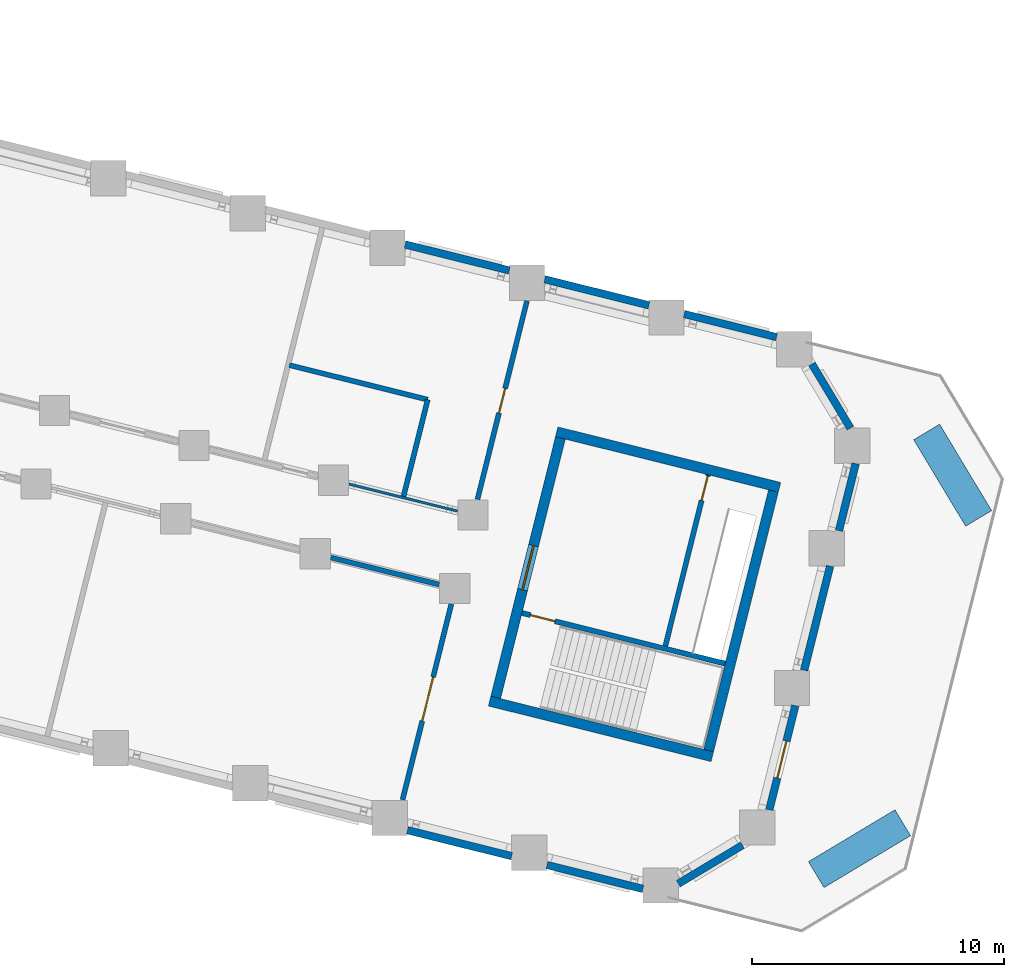
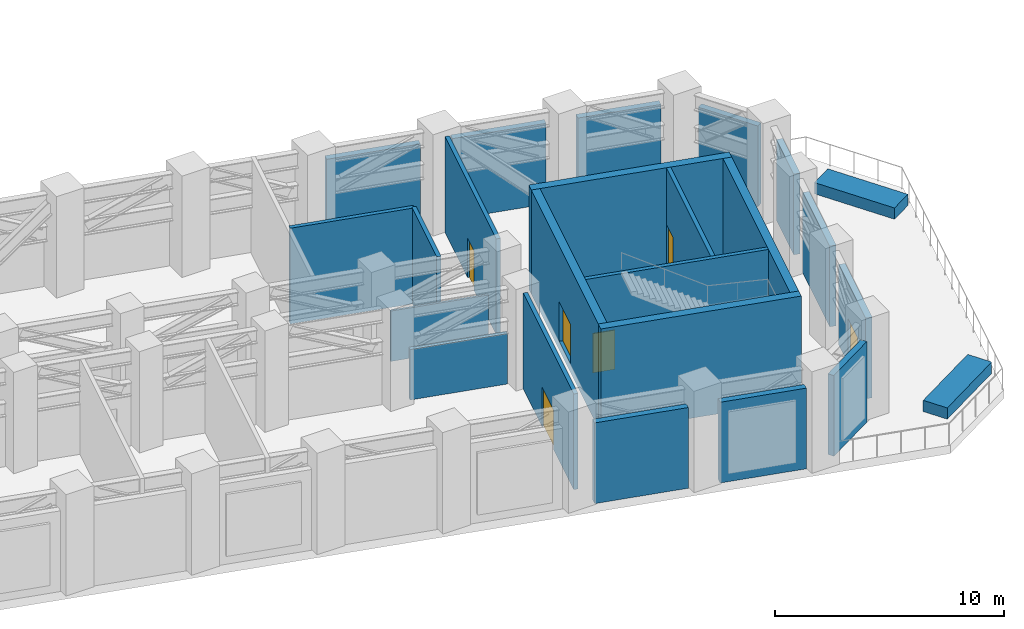
# One storey, part 10 of 14: 24 walls, 6 doors, 6 openings.
"""IFC4 building model written with IfcOpenShell, lengths in metres."""

from ifc_helpers import new_model, si_unit, direction, frame, frame_2d, origin, place, context, subcontext, project, spatial, rectangle, extrude, material, layer, layer_set, type_object, element, fill, save


model = new_model("IFC4")

# Units and contexts
model_context = context("Model", 3, precision=1e-05, world=origin(), true_north=direction((0.0, 1.0)))
body_context = subcontext(model_context, "Body", "Model", "MODEL_VIEW")
ifc_project = project(units=[si_unit("LENGTHUNIT", "METRE"), si_unit("AREAUNIT", "SQUARE_METRE"), si_unit("VOLUMEUNIT", "CUBIC_METRE"), si_unit("PLANEANGLEUNIT", "RADIAN"), si_unit("MASSUNIT", "GRAM", prefix="KILO")], contexts=[model_context])

# Site, building, storey
site_placement = place(None, origin())
site = spatial("IfcSite", under=ifc_project, at=site_placement, CompositionType="ELEMENT")
building_placement = place(site_placement, origin())
building = spatial("IfcBuilding", under=site, at=building_placement, Name="Meshkara Civic Tower", CompositionType="ELEMENT")
storey_placement = place(building_placement, frame((0.0, 0.0, 91.800048828125)))
storey = spatial("IfcBuildingStorey", under=building, at=storey_placement, Name="L20", CompositionType="ELEMENT", Elevation=91.800048828125)

# Walls
ifc_material_1 = material(Name="Corridor wall 100")
ifc_layer_1 = layer(ifc_material_1, 0.10009765625)
ifc_layer_set_1 = layer_set([ifc_layer_1], Name="Corridor wall 100")
wall_type_1 = type_object("IfcWallType", Name="Corridor wall 100", PredefinedType="PARTITIONING", material=ifc_layer_set_1)
wall_1_placement = place(storey_placement, frame((65.014892578125, -2.9150390625, 0.0), z_axis=(0.0, 0.0, 1.0), x_axis=(0.970285215636, -0.241964047572, 0.0)))
element("IfcWall", 1, at=wall_1_placement, inside=storey, type_object=wall_type_1, Name="L20-R034", PredefinedType="PARTITIONING", context=body_context, shape_type="SweptSolid", body=[
    extrude(rectangle(XDim=4.42236328125, YDim=0.10009765625, at=frame_2d((2.211181640625, 0.0))), origin(), (0.0, 0.0, 1.0), 2.683837890625),
])
ifc_material_2 = material(Name="Insulated infill panel with bronze anodised aluminium cladding", Category="aluminium")
ifc_layer_2 = layer(ifc_material_2, 0.300048828125)
ifc_layer_set_2 = layer_set([ifc_layer_2], Name="EXTERNAL INFILL WALL 300")
wall_type_2 = type_object("IfcWallType", Name="EXTERNAL INFILL WALL 300", PredefinedType="SOLIDWALL", material=ifc_layer_set_2)
wall_2_placement = place(storey_placement, frame((81.955078125, 2.908935546875, 0.0), z_axis=(0.0, 0.0, 1.0), x_axis=(-0.970264201381, 0.242048299971, 0.0)))
element("IfcWall", 2, at=wall_2_placement, inside=storey, type_object=wall_type_2, Name="External wall", PredefinedType="SOLIDWALL", context=body_context, shape_type="SweptSolid", body=[
    extrude(rectangle(XDim=3.772216796875, YDim=0.300048828125, at=frame_2d((1.88623046875, 0.0))), origin(), (0.0, 0.0, 1.0), 4.300048828125),
])
wall_3_placement = place(storey_placement, frame((76.89501953125, 4.1708984375, 0.0), z_axis=(0.0, 0.0, 1.0), x_axis=(-0.970280669997, 0.241982275032, 0.0)))
element("IfcWall", 3, at=wall_3_placement, inside=storey, type_object=wall_type_2, Name="External wall", PredefinedType="SOLIDWALL", context=body_context, shape_type="SweptSolid", body=[
    extrude(rectangle(XDim=4.256591796875, YDim=0.300048828125, at=frame_2d((2.12841796875, 0.0))), origin(), (0.0, 0.0, 1.0), 4.300048828125),
])
wall_4_placement = place(storey_placement, frame((71.364990234375, 5.550048828125, 0.0), z_axis=(0.0, 0.0, 1.0), x_axis=(-0.970294099383, 0.241928420619, 0.0)))
element("IfcWall", 4, at=wall_4_placement, inside=storey, type_object=wall_type_2, Name="External wall", PredefinedType="SOLIDWALL", context=body_context, shape_type="SweptSolid", body=[
    extrude(rectangle(XDim=4.257568359375, YDim=0.300048828125, at=frame_2d((2.12890625, 0.0))), origin(), (0.0, 0.0, 1.0), 4.300048828125),
])
wall_5_placement = place(storey_placement, frame((67.326904296875, -16.632080078125, 0.0), z_axis=(0.0, 0.0, 1.0), x_axis=(0.970361369997, -0.24165846068, 0.0)))
element("IfcWall", 5, at=wall_5_placement, inside=storey, type_object=wall_type_2, Name="External wall", PredefinedType="SOLIDWALL", context=body_context, shape_type="SweptSolid", body=[
    extrude(rectangle(XDim=4.25732421875, YDim=0.300048828125, at=frame_2d((2.128662109375, 0.0))), origin(), (0.0, 0.0, 1.0), 4.300048828125),
])
wall_6_placement = place(storey_placement, frame((72.85791015625, -18.010986328125, 0.0), z_axis=(0.0, 0.0, 1.0), x_axis=(0.970321919749, -0.241816815079, 0.0)))
element("IfcWall", 6, at=wall_6_placement, inside=storey, type_object=wall_type_2, Name="External wall", PredefinedType="SOLIDWALL", context=body_context, shape_type="SweptSolid", body=[
    extrude(rectangle(XDim=3.916259765625, YDim=0.300048828125, at=frame_2d((1.9580078125, 0.0))), origin(), (0.0, 0.0, 1.0), 4.300048828125),
])
wall_7_placement = place(storey_placement, frame((78.05810546875, -18.751953125, 0.0), z_axis=(0.0, 0.0, 1.0), x_axis=(0.857187798379, 0.51500395951, 0.0)))
element("IfcWall", 7, at=wall_7_placement, inside=storey, type_object=wall_type_2, Name="External wall", PredefinedType="SOLIDWALL", context=body_context, shape_type="SweptSolid", body=[
    extrude(rectangle(XDim=2.966552734375, YDim=0.300048828125, at=frame_2d((1.4833984375, 0.0))), origin(), (0.0, 0.0, 1.0), 4.300048828125),
])

# Wall, opening, door
wall_8_placement = place(storey_placement, frame((81.6669921875, -15.823974609375, 0.0), z_axis=(0.0, 0.0, 1.0), x_axis=(0.241941882045, 0.970290742877, 0.0)))
wall_8 = element("IfcWall", 8, at=wall_8_placement, inside=storey, type_object=wall_type_2, Name="External wall", PredefinedType="SOLIDWALL", context=body_context, shape_type="SweptSolid", body=[
    extrude(rectangle(XDim=4.25732421875, YDim=0.300048828125, at=frame_2d((2.128662109375, 0.0))), origin(), (0.0, 0.0, 1.0), 4.300048828125),
])
opening_1_placement = place(wall_8_placement, frame((1.302978515625, 0.0, 0.0)))
opening_1 = element("IfcOpeningElement", 9, at=opening_1_placement, cuts=wall_8, Name="Opening L20-L002", PredefinedType="OPENING", context=body_context, shape_type="SweptSolid", body=[
    extrude(rectangle(XDim=1.5, YDim=2.39990234375, at=frame_2d((0.75, 1.199951171875))), frame((0.0, 0.159912109375, 0.0), z_axis=(0.0, -1.0, 0.0), x_axis=(1.0, 0.0, 0.0)), (0.0, 0.0, 1.0), 0.320068359375),
])
ifc_material_3 = material(Name="Bronze anodised aluminium", Category="aluminium")
door_type_1 = type_object("IfcDoorType", Name="TERRACE DOOR 1500x2400", OperationType="DOUBLE_DOOR_SINGLE_SWING", PredefinedType="DOOR", material=ifc_material_3)
door_1_placement = place(opening_1_placement, origin())
door_1 = element("IfcDoor", 10, at=door_1_placement, inside=storey, type_object=door_type_1, Name="L20-L002", OperationType="DOUBLE_DOOR_SINGLE_SWING", OverallHeight=2.39990234375, OverallWidth=1.5, PredefinedType="DOOR", context=body_context, shape_type="SweptSolid", body=[
    extrude(rectangle(XDim=1.5, YDim=2.39990234375, at=frame_2d((0.75, 1.199951171875))), frame((0.0, 0.02490234375, 0.0), z_axis=(0.0, -1.0, 0.0), x_axis=(1.0, 0.0, 0.0)), (0.0, 0.0, 1.0), 0.050048828125),
])
fill(opening_1, door_1)

# Walls
wall_9_placement = place(storey_placement, frame((83.0458984375, -10.29296875, 0.0), z_axis=(0.0, 0.0, 1.0), x_axis=(0.241995742265, 0.970277311249, 0.0)))
element("IfcWall", 11, at=wall_9_placement, inside=storey, type_object=wall_type_2, Name="External wall", PredefinedType="SOLIDWALL", context=body_context, shape_type="SweptSolid", body=[
    extrude(rectangle(XDim=4.25634765625, YDim=0.300048828125, at=frame_2d((2.128173828125, 0.0))), origin(), (0.0, 0.0, 1.0), 4.300048828125),
])
wall_10_placement = place(storey_placement, frame((84.425048828125, -4.762939453125, 0.0), z_axis=(0.0, 0.0, 1.0), x_axis=(0.241970428038, 0.970283624491, 0.0)))
element("IfcWall", 12, at=wall_10_placement, inside=storey, type_object=wall_type_2, Name="External wall", PredefinedType="SOLIDWALL", context=body_context, shape_type="SweptSolid", body=[
    extrude(rectangle(XDim=2.744384765625, YDim=0.300048828125, at=frame_2d((1.3720703125, 0.0))), origin(), (0.0, 0.0, 1.0), 4.300048828125),
])
wall_11_placement = place(storey_placement, frame((84.883056640625, -0.699951171875, 0.0), z_axis=(0.0, 0.0, 1.0), x_axis=(-0.515064423856, 0.857151468107, 0.0)))
element("IfcWall", 13, at=wall_11_placement, inside=storey, type_object=wall_type_2, Name="External wall", PredefinedType="SOLIDWALL", context=body_context, shape_type="SweptSolid", body=[
    extrude(rectangle(XDim=2.966796875, YDim=0.300048828125, at=frame_2d((1.4833984375, 0.0))), origin(), (0.0, 0.0, 1.0), 4.300048828125),
])
ifc_material_4 = material(Name="Concrete C80", Category="concrete")
ifc_layer_3 = layer(ifc_material_4, 0.39990234375)
ifc_layer_set_3 = layer_set([ifc_layer_3], Name="End core ring wall 400 C80")
wall_type_3 = type_object("IfcWallType", Name="End core ring wall 400 C80", PredefinedType="SHEAR", material=ifc_layer_set_3)
for number, where, z_axis, x_axis, name in (
    (14, (70.580078125, -11.51708984375, -0.449951171875), (0.0, 0.0, 1.0), (0.970285938441, -0.241961149081, 0.0), "L20-C030"),
    (15, (73.240966796875, -0.843994140625, -0.449951171875), (0.0, 0.0, 1.0), (0.970312696888, -0.241853820019, 0.0), "L20-C031"),
):
    element("IfcWall", number, at=place(storey_placement, frame(where, z_axis=z_axis, x_axis=x_axis)), inside=storey, type_object=wall_type_3, Name=name, PredefinedType="SHEAR", context=body_context, shape_type="SweptSolid", body=[
        extrude(rectangle(XDim=9.100341796875, YDim=0.39990234375, at=frame_2d((4.55029296875, 0.0))), origin(), (0.0, 0.0, 1.0), 5.5498046875),
    ])

# Wall, opening, door
wall_12_placement = place(storey_placement, frame((70.822998046875, -11.37109375, -0.449951171875), z_axis=(0.0, 0.0, 1.0), x_axis=(0.241885246693, 0.97030486314, 0.0)))
wall_12 = element("IfcWall", 16, at=wall_12_placement, inside=storey, type_object=wall_type_3, Name="L20-C032", PredefinedType="SHEAR", context=body_context, shape_type="SweptSolid", body=[
    extrude(rectangle(XDim=10.599853515625, YDim=0.39990234375, at=frame_2d((5.2998046875, 0.0))), origin(), (0.0, 0.0, 1.0), 5.5498046875),
])
opening_2_placement = place(wall_12_placement, frame((4.39990234375, 0.0, 0.449951171875)))
opening_2 = element("IfcOpeningElement", 17, at=opening_2_placement, cuts=wall_12, Name="Opening L20-K202", PredefinedType="OPENING", context=body_context, shape_type="SweptSolid", body=[
    extrude(rectangle(XDim=1.800048828125, YDim=2.10009765625, at=frame_2d((0.89990234375, 1.050048828125))), frame((0.0, 0.2099609375, 0.0), z_axis=(0.0, -1.0, 0.0), x_axis=(1.0, 0.0, 0.0)), (0.0, 0.0, 1.0), 0.419921875),
])
ifc_material_5 = material(Name="Fire-rated door leaf in steel frame", Category="steel")
door_type_2 = type_object("IfcDoorType", Name="Core double door 1800 EI 60", OperationType="DOUBLE_DOOR_SINGLE_SWING", PredefinedType="DOOR", material=ifc_material_5)
door_2_placement = place(opening_2_placement, origin())
door_2 = element("IfcDoor", 18, at=door_2_placement, inside=storey, type_object=door_type_2, Name="L20-K202", OperationType="DOUBLE_DOOR_SINGLE_SWING", OverallHeight=2.10009765625, OverallWidth=1.800048828125, PredefinedType="DOOR", context=body_context, shape_type="SweptSolid", body=[
    extrude(rectangle(XDim=1.800048828125, YDim=2.10009765625, at=frame_2d((0.89990234375, 1.050048828125))), frame((0.0, 0.02490234375, 0.0), z_axis=(0.0, -1.0, 0.0), x_axis=(1.0, 0.0, 0.0)), (0.0, 0.0, 1.0), 0.050048828125),
])
fill(opening_2, door_2)

# Walls
wall_13_placement = place(storey_placement, frame((79.263916015625, -13.47607421875, -0.449951171875), z_axis=(0.0, 0.0, 1.0), x_axis=(0.241993665753, 0.970277829148, 0.0)))
element("IfcWall", 19, at=wall_13_placement, inside=storey, type_object=wall_type_3, Name="L20-C033", PredefinedType="SHEAR", context=body_context, shape_type="SweptSolid", body=[
    extrude(rectangle(XDim=10.60009765625, YDim=0.39990234375, at=frame_2d((5.300048828125, 0.0))), origin(), (0.0, 0.0, 1.0), 5.5498046875),
])
ifc_material_6 = material(Name="Fire-rated wall 200")
ifc_layer_4 = layer(ifc_material_6, 0.199951171875)
ifc_layer_set_4 = layer_set([ifc_layer_4], Name="Fire-rated wall 200")
wall_type_4 = type_object("IfcWallType", Name="Fire-rated wall 200", PredefinedType="PARTITIONING", material=ifc_layer_set_4)
wall_14_placement = place(storey_placement, frame((64.2890625, -5.825927734375, 0.0), z_axis=(0.0, 0.0, 1.0), x_axis=(0.970285215636, -0.241964047572, 0.0)))
element("IfcWall", 20, at=wall_14_placement, inside=storey, type_object=wall_type_4, Name="L20-R033", PredefinedType="PARTITIONING", context=body_context, shape_type="SweptSolid", body=[
    extrude(rectangle(XDim=4.42236328125, YDim=0.199951171875, at=frame_2d((2.211181640625, 0.0))), origin(), (0.0, 0.0, 1.0), 2.683837890625),
])

# Wall, opening, door
wall_15_placement = place(storey_placement, frame((69.06591796875, -7.669921875, 0.0), z_axis=(0.0, 0.0, 1.0), x_axis=(-0.241867390815, -0.970309314219, 0.0)))
wall_15 = element("IfcWall", 21, at=wall_15_placement, inside=storey, type_object=wall_type_4, Name="L20-R035", PredefinedType="PARTITIONING", context=body_context, shape_type="SweptSolid", body=[
    extrude(rectangle(XDim=7.995361328125, YDim=0.199951171875, at=frame_2d((3.99755859375, 0.0))), origin(), (0.0, 0.0, 1.0), 5.099853515625),
])
opening_3_placement = place(wall_15_placement, frame((2.97998046875, 0.0, 0.0)))
opening_3 = element("IfcOpeningElement", 22, at=opening_3_placement, cuts=wall_15, Name="Opening L20-P001", PredefinedType="OPENING", context=body_context, shape_type="SweptSolid", body=[
    extrude(rectangle(XDim=1.800048828125, YDim=2.10009765625, at=frame_2d((0.89990234375, 1.050048828125))), frame((0.0, 0.10986328125, 0.0), z_axis=(0.0, -1.0, 0.0), x_axis=(1.0, 0.0, 0.0)), (0.0, 0.0, 1.0), 0.219970703125),
])
ifc_material_7 = material(Name="Door pair 1800 x 2100")
door_type_3 = type_object("IfcDoorType", Name="Door pair 1800 x 2100", OperationType="SINGLE_SWING_LEFT", PredefinedType="DOOR", material=ifc_material_7)
door_3_placement = place(opening_3_placement, origin())
door_3 = element("IfcDoor", 23, at=door_3_placement, inside=storey, type_object=door_type_3, Name="L20-P001", OperationType="DOUBLE_DOOR_SINGLE_SWING", OverallHeight=2.10009765625, OverallWidth=1.800048828125, PredefinedType="DOOR", context=body_context, shape_type="SweptSolid", body=[
    extrude(rectangle(XDim=1.800048828125, YDim=2.10009765625, at=frame_2d((0.89990234375, 1.050048828125))), frame((0.0, 0.02490234375, 0.0), z_axis=(0.0, -1.0, 0.0), x_axis=(1.0, 0.0, 0.0)), (0.0, 0.0, 1.0), 0.050048828125),
])
fill(opening_3, door_3)

wall_16_placement = place(storey_placement, frame((72.06201171875, 4.345947265625, 0.0), z_axis=(0.0, 0.0, 1.0), x_axis=(-0.241890737353, -0.970303494368, 0.0)))
wall_16 = element("IfcWall", 24, at=wall_16_placement, inside=storey, type_object=wall_type_4, Name="L20-R036", PredefinedType="PARTITIONING", context=body_context, shape_type="SweptSolid", body=[
    extrude(rectangle(XDim=8.106689453125, YDim=0.199951171875, at=frame_2d((4.05322265625, 0.0))), origin(), (0.0, 0.0, 1.0), 5.099853515625),
])
opening_4_placement = place(wall_16_placement, frame((3.580078125, 0.0, 0.0)))
opening_4 = element("IfcOpeningElement", 25, at=opening_4_placement, cuts=wall_16, Name="Opening L20-P011", PredefinedType="OPENING", context=body_context, shape_type="SweptSolid", body=[
    extrude(rectangle(XDim=1.0, YDim=2.10009765625, at=frame_2d((0.5, 1.050048828125))), frame((0.0, 0.10986328125, 0.0), z_axis=(0.0, -1.0, 0.0), x_axis=(1.0, 0.0, 0.0)), (0.0, 0.0, 1.0), 0.219970703125),
])
ifc_material_8 = material(Name="Door 1000 x 2100")
door_type_4 = type_object("IfcDoorType", Name="Door 1000 x 2100", OperationType="SINGLE_SWING_LEFT", PredefinedType="DOOR", material=ifc_material_8)
door_4_placement = place(opening_4_placement, origin())
door_4 = element("IfcDoor", 26, at=door_4_placement, inside=storey, type_object=door_type_4, Name="L20-P011", OperationType="SINGLE_SWING_RIGHT", OverallHeight=2.10009765625, OverallWidth=1.0, PredefinedType="DOOR", context=body_context, shape_type="SweptSolid", body=[
    extrude(rectangle(XDim=1.0, YDim=2.10009765625, at=frame_2d((0.5, 1.050048828125))), frame((0.0, 0.02490234375, 0.0), z_axis=(0.0, -1.0, 0.0), x_axis=(1.0, 0.0, 0.0)), (0.0, 0.0, 1.0), 0.050048828125),
])
fill(opening_4, door_4)

# Walls
wall_17_placement = place(storey_placement, frame((67.172119140625, -3.40087890625, 0.0), z_axis=(0.0, 0.0, 1.0), x_axis=(0.242026483269, 0.970269643654, 0.0)))
element("IfcWall", 27, at=wall_17_placement, inside=storey, type_object=wall_type_4, Name="L20-R049", PredefinedType="PARTITIONING", context=body_context, shape_type="SweptSolid", body=[
    extrude(rectangle(XDim=3.94921875, YDim=0.199951171875, at=frame_2d((1.974609375, 0.0))), origin(), (0.0, 0.0, 1.0), 5.099853515625),
])
wall_18_placement = place(storey_placement, frame((68.1279296875, 0.430908203125, 0.0), z_axis=(0.0, 0.0, 1.0), x_axis=(-0.970279606055, 0.241986541102, 0.0)))
element("IfcWall", 28, at=wall_18_placement, inside=storey, type_object=wall_type_4, Name="L20-R050", PredefinedType="PARTITIONING", context=body_context, shape_type="SweptSolid", body=[
    extrude(rectangle(XDim=5.64990234375, YDim=0.199951171875, at=frame_2d((2.824951171875, 0.0))), origin(), (0.0, 0.0, 1.0), 5.099853515625),
])
ifc_material_9 = material(Name="Concrete C40", Category="concrete")
ifc_layer_5 = layer(ifc_material_9, 1.199951171875)
ifc_layer_set_5 = layer_set([ifc_layer_5], Name="PLANTING BED")
wall_type_5 = type_object("IfcWallType", Name="PLANTING BED", PredefinedType="SOLIDWALL", material=ifc_layer_set_5)
wall_19_placement = place(storey_placement, frame((87.902099609375, -0.847900390625, 0.0), z_axis=(0.0, 0.0, 1.0), x_axis=(0.514917524247, -0.857239723311, 0.0)))
element("IfcWall", 29, at=wall_19_placement, inside=storey, type_object=wall_type_5, Name="Planting bed", PredefinedType="SOLIDWALL", context=body_context, shape_type="SweptSolid", body=[
    extrude(rectangle(XDim=4.000244140625, YDim=1.199951171875, at=frame_2d((2.0, 0.0))), origin(), (0.0, 0.0, 1.0), 0.599853515625),
])
wall_20_placement = place(storey_placement, frame((86.955078125, -16.3349609375, 0.0), z_axis=(0.0, 0.0, 1.0), x_axis=(-0.857212783482, -0.514962371281, 0.0)))
element("IfcWall", 30, at=wall_20_placement, inside=storey, type_object=wall_type_5, Name="Planting bed", PredefinedType="SOLIDWALL", context=body_context, shape_type="SweptSolid", body=[
    extrude(rectangle(XDim=4.00048828125, YDim=1.199951171875, at=frame_2d((2.000244140625, 0.0))), origin(), (0.0, 0.0, 1.0), 0.599853515625),
])

# Wall, opening, door
ifc_material_10 = material(Name="Concrete C40/50", Category="concrete")
ifc_layer_6 = layer(ifc_material_10, 0.199951171875)
ifc_layer_set_6 = layer_set([ifc_layer_6], Name="Stair enclosure wall 200 C40/50")
wall_type_6 = type_object("IfcWallType", Name="Stair enclosure wall 200 C40/50", PredefinedType="SOLIDWALL", material=ifc_layer_set_6)
wall_21_placement = place(storey_placement, frame((71.864013671875, -8.02392578125, 0.0), z_axis=(0.0, 0.0, 1.0), x_axis=(0.970289402158, -0.241947258837, 0.0)))
wall_21 = element("IfcWall", 31, at=wall_21_placement, inside=storey, type_object=wall_type_6, Name="L20-C034", PredefinedType="SOLIDWALL", context=body_context, shape_type="SweptSolid", body=[
    extrude(rectangle(XDim=8.299560546875, YDim=0.199951171875, at=frame_2d((4.14990234375, 0.0))), origin(), (0.0, 0.0, 1.0), 5.099853515625),
])
opening_5_placement = place(wall_21_placement, frame((0.35009765625, 0.0, 0.0)))
opening_5 = element("IfcOpeningElement", 32, at=opening_5_placement, cuts=wall_21, Name="Opening L20-K201", PredefinedType="OPENING", context=body_context, shape_type="SweptSolid", body=[
    extrude(rectangle(XDim=1.0, YDim=2.10009765625, at=frame_2d((0.5, 1.050048828125))), frame((0.0, 0.10986328125, 0.0), z_axis=(0.0, -1.0, 0.0), x_axis=(1.0, 0.0, 0.0)), (0.0, 0.0, 1.0), 0.219970703125),
])
ifc_material_11 = material(Name="Fire-rated door leaf in steel frame", Category="steel")
door_type_5 = type_object("IfcDoorType", Name="Stair door 1000 EI 120", OperationType="SINGLE_SWING_LEFT", PredefinedType="DOOR", material=ifc_material_11)
door_5_placement = place(opening_5_placement, origin())
door_5 = element("IfcDoor", 33, at=door_5_placement, inside=storey, type_object=door_type_5, Name="L20-K201", OperationType="SINGLE_SWING_LEFT", OverallHeight=2.10009765625, OverallWidth=1.0, PredefinedType="DOOR", context=body_context, shape_type="SweptSolid", body=[
    extrude(rectangle(XDim=1.0, YDim=2.10009765625, at=frame_2d((0.5, 1.050048828125))), frame((0.0, 0.02490234375, 0.0), z_axis=(0.0, -1.0, 0.0), x_axis=(1.0, 0.0, 0.0)), (0.0, 0.0, 1.0), 0.050048828125),
])
fill(opening_5, door_5)

wall_22_placement = place(storey_placement, frame((77.544921875, -9.3369140625, 0.0), z_axis=(0.0, 0.0, 1.0), x_axis=(0.241879042136, 0.970306409839, 0.0)))
wall_22 = element("IfcWall", 34, at=wall_22_placement, inside=storey, type_object=wall_type_6, Name="L20-C035", PredefinedType="SOLIDWALL", context=body_context, shape_type="SweptSolid", body=[
    extrude(rectangle(XDim=6.999755859375, YDim=0.199951171875, at=frame_2d((3.5, 0.0))), origin(), (0.0, 0.0, 1.0), 5.099853515625),
])
opening_6_placement = place(wall_22_placement, frame((5.949951171875, 0.0, 0.0)))
opening_6 = element("IfcOpeningElement", 35, at=opening_6_placement, cuts=wall_22, Name="Opening L20-K290", PredefinedType="OPENING", context=body_context, shape_type="SweptSolid", body=[
    extrude(rectangle(XDim=1.0, YDim=2.10009765625, at=frame_2d((0.5, 1.050048828125))), frame((0.0, 0.10986328125, 0.0), z_axis=(0.0, -1.0, 0.0), x_axis=(1.0, 0.0, 0.0)), (0.0, 0.0, 1.0), 0.219970703125),
])
door_6_placement = place(opening_6_placement, origin())
door_6 = element("IfcDoor", 36, at=door_6_placement, inside=storey, type_object=door_type_5, Name="L20-K290", OperationType="SINGLE_SWING_LEFT", OverallHeight=2.10009765625, OverallWidth=1.0, PredefinedType="DOOR", context=body_context, shape_type="SweptSolid", body=[
    extrude(rectangle(XDim=1.0, YDim=2.10009765625, at=frame_2d((0.5, 1.050048828125))), frame((0.0, 0.02490234375, 0.0), z_axis=(0.0, -1.0, 0.0), x_axis=(1.0, 0.0, 0.0)), (0.0, 0.0, 1.0), 0.050048828125),
])
fill(opening_6, door_6)

save(model, "model.ifc")
